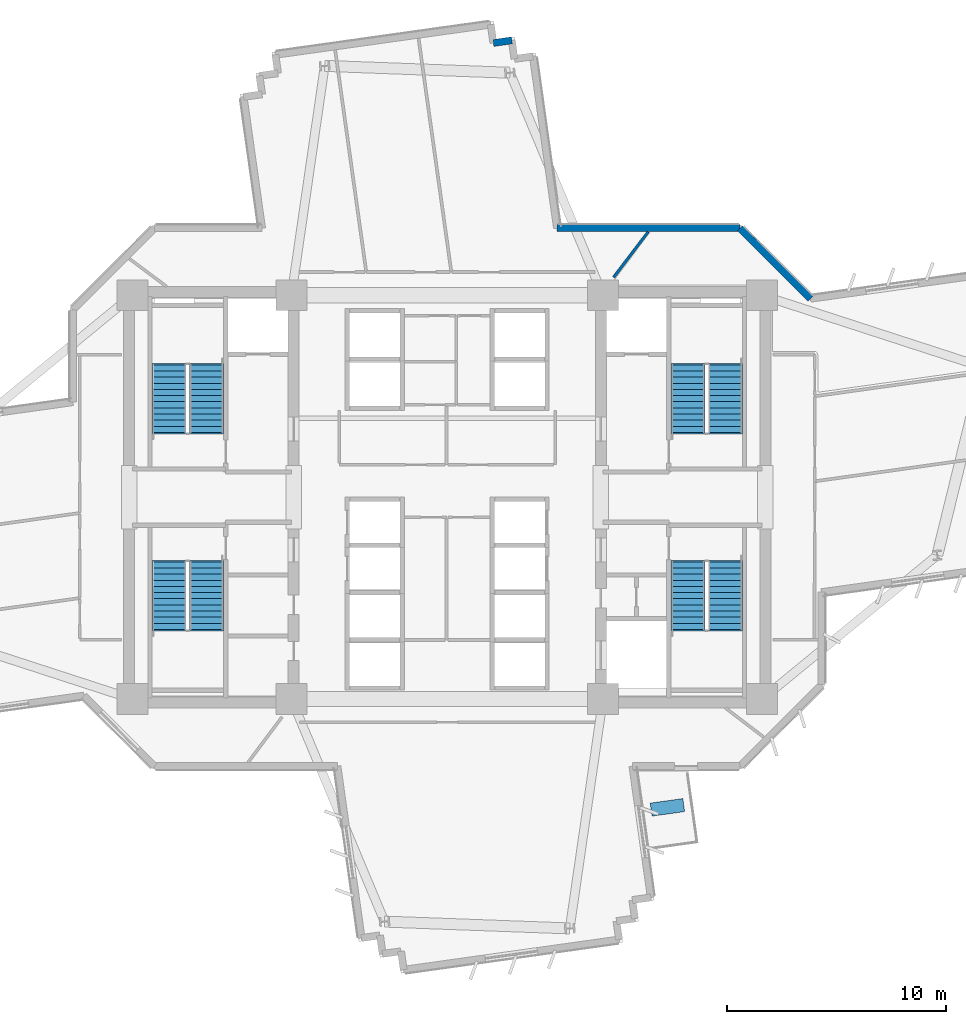
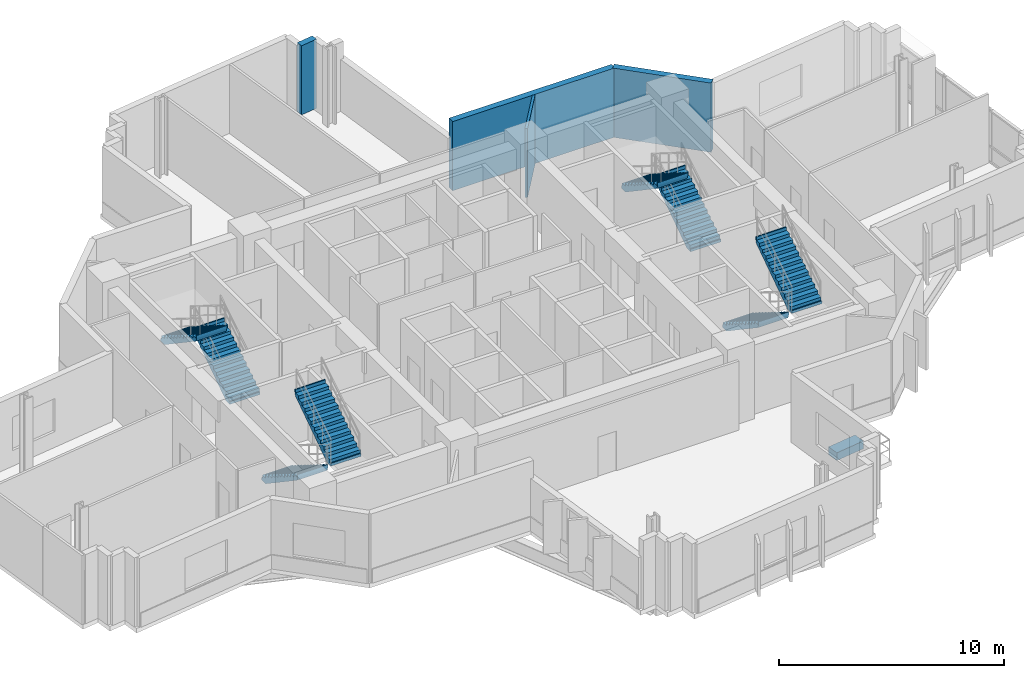
# One storey, part 10 of 14: 8 stair flights, 4 walls, 1 discrete accessory, 4 elements without a shape of their own.
"""IFC4 building model written with IfcOpenShell, lengths in metres."""

from ifc_helpers import new_model, si_unit, direction, frame, frame_2d, origin, origin_2d, place, context, subcontext, project, spatial, polyline, rectangle, outline, extrude, source, transform, mapped, material, layer, layer_set, type_object, element, aggregate, save


model = new_model("IFC4")

# Units and contexts
model_context = context("Model", 3, precision=1e-05, world=origin(), true_north=direction((0.0, 1.0)))
body_context = subcontext(model_context, "Body", "Model", "MODEL_VIEW")
ifc_project = project(units=[si_unit("LENGTHUNIT", "METRE"), si_unit("AREAUNIT", "SQUARE_METRE"), si_unit("VOLUMEUNIT", "CUBIC_METRE"), si_unit("PLANEANGLEUNIT", "RADIAN"), si_unit("MASSUNIT", "GRAM", prefix="KILO")], contexts=[model_context])

# Site, building, storey
site_placement = place(None, origin())
site = spatial("IfcSite", under=ifc_project, at=site_placement, CompositionType="ELEMENT")
building_placement = place(site_placement, origin())
building = spatial("IfcBuilding", under=site, at=building_placement, Name="Zahravan Cultural Tower", CompositionType="ELEMENT")
storey_placement = place(building_placement, frame((0.0, 0.0, 121.5)))
storey = spatial("IfcBuildingStorey", under=building, at=storey_placement, Name="L27", CompositionType="ELEMENT", Elevation=121.5)

# Walls
ifc_material_1 = material(Name="Precast concrete C40/50", Category="concrete")
ifc_layer_1 = layer(ifc_material_1, 0.320068359375)
ifc_layer_set_1 = layer_set([ifc_layer_1], Name="Precast concrete C40/50")
wall_type_1 = type_object("IfcWallType", Name="EW-TC-320", PredefinedType="SOLIDWALL", material=ifc_layer_set_1)
shared_shape_1 = source(origin(), body_context, "Body", "SweptSolid", [
    extrude(rectangle(XDim=0.85009765625, YDim=0.320068359375, at=frame_2d((0.425048828125, 0.0))), origin(), (0.0, 0.0, 1.0), 3.75),
])
wall_1_placement = place(storey_placement, frame((38.106201171875, 47.702880859375, 0.0), z_axis=(0.0, 0.0, 1.0), x_axis=(0.990330700987, 0.138726719425, 0.0)))
element("IfcWall", 1, at=wall_1_placement, inside=storey, type_object=wall_type_1, Name="L27 Exterior Masonry Frame Wall 47", PredefinedType="SOLIDWALL", context=body_context, shape_type="MappedRepresentation", body=[
    mapped(shared_shape_1, transform((0.0, 0.0, 0.0), x_axis=(1.0, 0.0, 0.0), y_axis=(0.0, 1.0, 0.0), z_axis=(0.0, 0.0, 1.0), scale=1.0)),
])
shared_shape_2 = source(origin(), body_context, "Body", "SweptSolid", [
    extrude(rectangle(XDim=8.33544921875, YDim=0.320068359375, at=frame_2d((4.167724609375, 0.0))), origin(), (0.0, 0.0, 1.0), 3.75),
])
wall_2_placement = place(storey_placement, frame((41.006591796875, 39.260009765625, 0.0), z_axis=(0.0, 0.0, 1.0), x_axis=(1.0, 0.0, 0.0)))
element("IfcWall", 2, at=wall_2_placement, inside=storey, type_object=wall_type_1, Name="L27 Exterior Masonry Frame Wall 51", PredefinedType="SOLIDWALL", context=body_context, shape_type="MappedRepresentation", body=[
    mapped(shared_shape_2, transform((0.0, 0.0, 0.0), x_axis=(1.0, 0.0, 0.0), y_axis=(0.0, 1.0, 0.0), z_axis=(0.0, 0.0, 1.0), scale=1.0)),
])
shared_shape_3 = source(origin(), body_context, "Body", "SweptSolid", [
    extrude(rectangle(XDim=4.545166015625, YDim=0.320068359375, at=frame_2d((2.2724609375, 0.0))), origin(), (0.0, 0.0, 1.0), 3.75),
])
wall_3_placement = place(storey_placement, frame((49.342041015625, 39.260009765625, 0.0), z_axis=(0.0, 0.0, 1.0), x_axis=(0.707106781187, -0.707106781187, 0.0)))
element("IfcWall", 3, at=wall_3_placement, inside=storey, type_object=wall_type_1, Name="L27 Exterior Masonry Frame Wall 52", PredefinedType="SOLIDWALL", context=body_context, shape_type="MappedRepresentation", body=[
    mapped(shared_shape_3, transform((0.0, 0.0, 0.0), x_axis=(1.0, 0.0, 0.0), y_axis=(0.0, 1.0, 0.0), z_axis=(0.0, 0.0, 1.0), scale=1.0)),
])
ifc_material_2 = material(Name="Gypsum plasterboard partition")
ifc_layer_2 = layer(ifc_material_2, 0.125)
ifc_layer_set_2 = layer_set([ifc_layer_2], Name="Gypsum plasterboard partition")
wall_type_2 = type_object("IfcWallType", Name="W-PART-125", PredefinedType="PARTITIONING", material=ifc_layer_set_2)
shared_shape_4 = source(origin(), body_context, "Body", "SweptSolid", [
    extrude(rectangle(XDim=2.608154296875, YDim=0.125, at=frame_2d((1.30419921875, 0.0))), origin(), (0.0, 0.0, 1.0), 3.75),
])
wall_4_placement = place(storey_placement, frame((45.162109375, 39.094970703125, 0.0), z_axis=(0.0, 0.0, 1.0), x_axis=(-0.605840128894, -0.795586411537, 0.0)))
element("IfcWall", 4, at=wall_4_placement, inside=storey, type_object=wall_type_2, Name="L27 Interior Wall 106", PredefinedType="PARTITIONING", context=body_context, shape_type="MappedRepresentation", body=[
    mapped(shared_shape_4, transform((0.0, 0.0, 0.0), x_axis=(1.0, 0.0, 0.0), y_axis=(0.0, 1.0, 0.0), z_axis=(0.0, 0.0, 1.0), scale=1.0)),
])

# Stair, stair flights
ifc_material_3 = material(Name="Concrete C45/55", Category="concrete")
stair_type = type_object("IfcStairType", Name="STR-DL-1550-420", PredefinedType="HALF_TURN_STAIR", material=ifc_material_3)
stair_1_placement = place(storey_placement, origin())
stair_1 = element("IfcStair", 5, at=stair_1_placement, inside=storey, type_object=stair_type, Name="L27 West Core North Exit Stair ST-W1", PredefinedType="HALF_TURN_STAIR")
stair_flight_type = type_object("IfcStairFlightType", Name="FLG-DL-1550-420", PredefinedType="STRAIGHT", material=ifc_material_3)
stair_flight_1_placement = place(storey_placement, frame((25.02490234375, 29.949951171875, 0.0), z_axis=(0.0, 0.0, 1.0), x_axis=(0.0, 1.0, 0.0)))
stair_flight_1 = element("IfcStairFlight", 6, at=stair_flight_1_placement, type_object=stair_flight_type, Name="ST-W1 flight 1", NumberOfRisers=12, NumberOfTreads=11, PredefinedType="STRAIGHT", RiserHeight=0.175, TreadLength=0.28, context=body_context, shape_type="SweptSolid", body=[
    extrude(outline(polyline([(-0.06494140625, -0.139892578125), (-0.06494140625, 0.0), (0.0, 0.0), (0.0, 0.175048828125), (0.280029296875, 0.175048828125), (0.280029296875, 0.35009765625), (0.56005859375, 0.35009765625), (0.56005859375, 0.52490234375), (0.840087890625, 0.52490234375), (0.840087890625, 0.699951171875), (1.1201171875, 0.699951171875), (1.1201171875, 0.875), (1.39990234375, 0.875), (1.39990234375, 1.050048828125), (1.679931640625, 1.050048828125), (1.679931640625, 1.22509765625), (1.9599609375, 1.22509765625), (1.9599609375, 1.39990234375), (2.239990234375, 1.39990234375), (2.239990234375, 1.574951171875), (2.52001953125, 1.574951171875), (2.52001953125, 1.75), (2.800048828125, 1.75), (2.800048828125, 1.925048828125), (3.080078125, 1.925048828125), (3.080078125, 2.10009765625), (3.14501953125, 2.10009765625), (3.14501953125, 1.9501953125), (3.080078125, 1.748291015625), (0.28271484375, -0.139892578125), (-0.06494140625, -0.139892578125)])), frame((0.0, 0.77490234375, 0.0), z_axis=(0.0, -1.0, 0.0), x_axis=(1.0, 0.0, 0.0)), (0.0, 0.0, 1.0), 1.550048828125),
])
stair_flight_2_placement = place(storey_placement, frame((23.324951171875, 33.030029296875, 2.10009765625), z_axis=(0.0, 0.0, 1.0), x_axis=(0.0, -1.0, 0.0)))
stair_flight_2 = element("IfcStairFlight", 7, at=stair_flight_2_placement, type_object=stair_flight_type, Name="ST-W1 flight 2", NumberOfRisers=12, NumberOfTreads=11, PredefinedType="STRAIGHT", RiserHeight=0.175, TreadLength=0.28, context=body_context, shape_type="SweptSolid", body=[
    extrude(outline(polyline([(-0.06494140625, -0.139892578125), (-0.06494140625, 0.0), (0.0, 0.0), (0.0, 0.175048828125), (0.280029296875, 0.175048828125), (0.280029296875, 0.35009765625), (0.56005859375, 0.35009765625), (0.56005859375, 0.52490234375), (0.840087890625, 0.52490234375), (0.840087890625, 0.699951171875), (1.1201171875, 0.699951171875), (1.1201171875, 0.875), (1.39990234375, 0.875), (1.39990234375, 1.050048828125), (1.679931640625, 1.050048828125), (1.679931640625, 1.22509765625), (1.9599609375, 1.22509765625), (1.9599609375, 1.39990234375), (2.239990234375, 1.39990234375), (2.239990234375, 1.574951171875), (2.52001953125, 1.574951171875), (2.52001953125, 1.75), (2.800048828125, 1.75), (2.800048828125, 1.925048828125), (3.080078125, 1.925048828125), (3.080078125, 2.10009765625), (3.14501953125, 2.10009765625), (3.14501953125, 1.9501953125), (3.080078125, 1.748291015625), (0.28271484375, -0.139892578125), (-0.06494140625, -0.139892578125)])), frame((0.0, 0.77490234375, 0.0), z_axis=(0.0, -1.0, 0.0), x_axis=(1.0, 0.0, 0.0)), (0.0, 0.0, 1.0), 1.550048828125),
])
aggregate(stair_1, [stair_flight_1, stair_flight_2])

stair_2_placement = place(storey_placement, origin())
stair_2 = element("IfcStair", 8, at=stair_2_placement, inside=storey, type_object=stair_type, Name="L27 West Core South Exit Stair ST-W2", PredefinedType="HALF_TURN_STAIR")
stair_flight_3_placement = place(storey_placement, frame((23.324951171875, 24.050048828125, 0.0), z_axis=(0.0, 0.0, 1.0), x_axis=(0.0, -1.0, 0.0)))
stair_flight_3 = element("IfcStairFlight", 9, at=stair_flight_3_placement, type_object=stair_flight_type, Name="ST-W2 flight 1", NumberOfRisers=12, NumberOfTreads=11, PredefinedType="STRAIGHT", RiserHeight=0.175, TreadLength=0.28, context=body_context, shape_type="SweptSolid", body=[
    extrude(outline(polyline([(-0.06494140625, -0.139892578125), (-0.06494140625, 0.0), (0.0, 0.0), (0.0, 0.175048828125), (0.280029296875, 0.175048828125), (0.280029296875, 0.35009765625), (0.56005859375, 0.35009765625), (0.56005859375, 0.52490234375), (0.840087890625, 0.52490234375), (0.840087890625, 0.699951171875), (1.1201171875, 0.699951171875), (1.1201171875, 0.875), (1.39990234375, 0.875), (1.39990234375, 1.050048828125), (1.679931640625, 1.050048828125), (1.679931640625, 1.22509765625), (1.9599609375, 1.22509765625), (1.9599609375, 1.39990234375), (2.239990234375, 1.39990234375), (2.239990234375, 1.574951171875), (2.52001953125, 1.574951171875), (2.52001953125, 1.75), (2.800048828125, 1.75), (2.800048828125, 1.925048828125), (3.080078125, 1.925048828125), (3.080078125, 2.10009765625), (3.14501953125, 2.10009765625), (3.14501953125, 1.9501953125), (3.080078125, 1.748291015625), (0.28271484375, -0.139892578125), (-0.06494140625, -0.139892578125)])), frame((0.0, 0.77490234375, 0.0), z_axis=(0.0, -1.0, 0.0), x_axis=(1.0, 0.0, 0.0)), (0.0, 0.0, 1.0), 1.550048828125),
])
stair_flight_4_placement = place(storey_placement, frame((25.02490234375, 20.969970703125, 2.10009765625), z_axis=(0.0, 0.0, 1.0), x_axis=(0.0, 1.0, 0.0)))
stair_flight_4 = element("IfcStairFlight", 10, at=stair_flight_4_placement, type_object=stair_flight_type, Name="ST-W2 flight 2", NumberOfRisers=12, NumberOfTreads=11, PredefinedType="STRAIGHT", RiserHeight=0.175, TreadLength=0.28, context=body_context, shape_type="SweptSolid", body=[
    extrude(outline(polyline([(-0.06494140625, -0.139892578125), (-0.06494140625, 0.0), (0.0, 0.0), (0.0, 0.175048828125), (0.280029296875, 0.175048828125), (0.280029296875, 0.35009765625), (0.56005859375, 0.35009765625), (0.56005859375, 0.52490234375), (0.840087890625, 0.52490234375), (0.840087890625, 0.699951171875), (1.1201171875, 0.699951171875), (1.1201171875, 0.875), (1.39990234375, 0.875), (1.39990234375, 1.050048828125), (1.679931640625, 1.050048828125), (1.679931640625, 1.22509765625), (1.9599609375, 1.22509765625), (1.9599609375, 1.39990234375), (2.239990234375, 1.39990234375), (2.239990234375, 1.574951171875), (2.52001953125, 1.574951171875), (2.52001953125, 1.75), (2.800048828125, 1.75), (2.800048828125, 1.925048828125), (3.080078125, 1.925048828125), (3.080078125, 2.10009765625), (3.14501953125, 2.10009765625), (3.14501953125, 1.9501953125), (3.080078125, 1.748291015625), (0.28271484375, -0.139892578125), (-0.06494140625, -0.139892578125)])), frame((0.0, 0.77490234375, 0.0), z_axis=(0.0, -1.0, 0.0), x_axis=(1.0, 0.0, 0.0)), (0.0, 0.0, 1.0), 1.550048828125),
])
aggregate(stair_2, [stair_flight_3, stair_flight_4])

stair_3_placement = place(storey_placement, origin())
stair_3 = element("IfcStair", 11, at=stair_3_placement, inside=storey, type_object=stair_type, Name="L27 East Core North Exit Stair ST-E1", PredefinedType="HALF_TURN_STAIR")
stair_flight_5_placement = place(storey_placement, frame((48.675048828125, 29.949951171875, 0.0), z_axis=(0.0, 0.0, 1.0), x_axis=(0.0, 1.0, 0.0)))
stair_flight_5 = element("IfcStairFlight", 12, at=stair_flight_5_placement, type_object=stair_flight_type, Name="ST-E1 flight 1", NumberOfRisers=12, NumberOfTreads=11, PredefinedType="STRAIGHT", RiserHeight=0.175, TreadLength=0.28, context=body_context, shape_type="SweptSolid", body=[
    extrude(outline(polyline([(-0.06494140625, -0.139892578125), (-0.06494140625, 0.0), (0.0, 0.0), (0.0, 0.175048828125), (0.280029296875, 0.175048828125), (0.280029296875, 0.35009765625), (0.56005859375, 0.35009765625), (0.56005859375, 0.52490234375), (0.840087890625, 0.52490234375), (0.840087890625, 0.699951171875), (1.1201171875, 0.699951171875), (1.1201171875, 0.875), (1.39990234375, 0.875), (1.39990234375, 1.050048828125), (1.679931640625, 1.050048828125), (1.679931640625, 1.22509765625), (1.9599609375, 1.22509765625), (1.9599609375, 1.39990234375), (2.239990234375, 1.39990234375), (2.239990234375, 1.574951171875), (2.52001953125, 1.574951171875), (2.52001953125, 1.75), (2.800048828125, 1.75), (2.800048828125, 1.925048828125), (3.080078125, 1.925048828125), (3.080078125, 2.10009765625), (3.14501953125, 2.10009765625), (3.14501953125, 1.9501953125), (3.080078125, 1.748291015625), (0.28271484375, -0.139892578125), (-0.06494140625, -0.139892578125)])), frame((0.0, 0.77490234375, 0.0), z_axis=(0.0, -1.0, 0.0), x_axis=(1.0, 0.0, 0.0)), (0.0, 0.0, 1.0), 1.550048828125),
])
stair_flight_6_placement = place(storey_placement, frame((46.97509765625, 33.030029296875, 2.10009765625), z_axis=(0.0, 0.0, 1.0), x_axis=(0.0, -1.0, 0.0)))
stair_flight_6 = element("IfcStairFlight", 13, at=stair_flight_6_placement, type_object=stair_flight_type, Name="ST-E1 flight 2", NumberOfRisers=12, NumberOfTreads=11, PredefinedType="STRAIGHT", RiserHeight=0.175, TreadLength=0.28, context=body_context, shape_type="SweptSolid", body=[
    extrude(outline(polyline([(-0.06494140625, -0.139892578125), (-0.06494140625, 0.0), (0.0, 0.0), (0.0, 0.175048828125), (0.280029296875, 0.175048828125), (0.280029296875, 0.35009765625), (0.56005859375, 0.35009765625), (0.56005859375, 0.52490234375), (0.840087890625, 0.52490234375), (0.840087890625, 0.699951171875), (1.1201171875, 0.699951171875), (1.1201171875, 0.875), (1.39990234375, 0.875), (1.39990234375, 1.050048828125), (1.679931640625, 1.050048828125), (1.679931640625, 1.22509765625), (1.9599609375, 1.22509765625), (1.9599609375, 1.39990234375), (2.239990234375, 1.39990234375), (2.239990234375, 1.574951171875), (2.52001953125, 1.574951171875), (2.52001953125, 1.75), (2.800048828125, 1.75), (2.800048828125, 1.925048828125), (3.080078125, 1.925048828125), (3.080078125, 2.10009765625), (3.14501953125, 2.10009765625), (3.14501953125, 1.9501953125), (3.080078125, 1.748291015625), (0.28271484375, -0.139892578125), (-0.06494140625, -0.139892578125)])), frame((0.0, 0.77490234375, 0.0), z_axis=(0.0, -1.0, 0.0), x_axis=(1.0, 0.0, 0.0)), (0.0, 0.0, 1.0), 1.550048828125),
])
aggregate(stair_3, [stair_flight_5, stair_flight_6])

stair_4_placement = place(storey_placement, origin())
stair_4 = element("IfcStair", 14, at=stair_4_placement, inside=storey, type_object=stair_type, Name="L27 East Core South Exit Stair ST-E2", PredefinedType="HALF_TURN_STAIR")
stair_flight_7_placement = place(storey_placement, frame((46.97509765625, 24.050048828125, 0.0), z_axis=(0.0, 0.0, 1.0), x_axis=(0.0, -1.0, 0.0)))
stair_flight_7 = element("IfcStairFlight", 15, at=stair_flight_7_placement, type_object=stair_flight_type, Name="ST-E2 flight 1", NumberOfRisers=12, NumberOfTreads=11, PredefinedType="STRAIGHT", RiserHeight=0.175, TreadLength=0.28, context=body_context, shape_type="SweptSolid", body=[
    extrude(outline(polyline([(-0.06494140625, -0.139892578125), (-0.06494140625, 0.0), (0.0, 0.0), (0.0, 0.175048828125), (0.280029296875, 0.175048828125), (0.280029296875, 0.35009765625), (0.56005859375, 0.35009765625), (0.56005859375, 0.52490234375), (0.840087890625, 0.52490234375), (0.840087890625, 0.699951171875), (1.1201171875, 0.699951171875), (1.1201171875, 0.875), (1.39990234375, 0.875), (1.39990234375, 1.050048828125), (1.679931640625, 1.050048828125), (1.679931640625, 1.22509765625), (1.9599609375, 1.22509765625), (1.9599609375, 1.39990234375), (2.239990234375, 1.39990234375), (2.239990234375, 1.574951171875), (2.52001953125, 1.574951171875), (2.52001953125, 1.75), (2.800048828125, 1.75), (2.800048828125, 1.925048828125), (3.080078125, 1.925048828125), (3.080078125, 2.10009765625), (3.14501953125, 2.10009765625), (3.14501953125, 1.9501953125), (3.080078125, 1.748291015625), (0.28271484375, -0.139892578125), (-0.06494140625, -0.139892578125)])), frame((0.0, 0.77490234375, 0.0), z_axis=(0.0, -1.0, 0.0), x_axis=(1.0, 0.0, 0.0)), (0.0, 0.0, 1.0), 1.550048828125),
])
stair_flight_8_placement = place(storey_placement, frame((48.675048828125, 20.969970703125, 2.10009765625), z_axis=(0.0, 0.0, 1.0), x_axis=(0.0, 1.0, 0.0)))
stair_flight_8 = element("IfcStairFlight", 16, at=stair_flight_8_placement, type_object=stair_flight_type, Name="ST-E2 flight 2", NumberOfRisers=12, NumberOfTreads=11, PredefinedType="STRAIGHT", RiserHeight=0.175, TreadLength=0.28, context=body_context, shape_type="SweptSolid", body=[
    extrude(outline(polyline([(-0.06494140625, -0.139892578125), (-0.06494140625, 0.0), (0.0, 0.0), (0.0, 0.175048828125), (0.280029296875, 0.175048828125), (0.280029296875, 0.35009765625), (0.56005859375, 0.35009765625), (0.56005859375, 0.52490234375), (0.840087890625, 0.52490234375), (0.840087890625, 0.699951171875), (1.1201171875, 0.699951171875), (1.1201171875, 0.875), (1.39990234375, 0.875), (1.39990234375, 1.050048828125), (1.679931640625, 1.050048828125), (1.679931640625, 1.22509765625), (1.9599609375, 1.22509765625), (1.9599609375, 1.39990234375), (2.239990234375, 1.39990234375), (2.239990234375, 1.574951171875), (2.52001953125, 1.574951171875), (2.52001953125, 1.75), (2.800048828125, 1.75), (2.800048828125, 1.925048828125), (3.080078125, 1.925048828125), (3.080078125, 2.10009765625), (3.14501953125, 2.10009765625), (3.14501953125, 1.9501953125), (3.080078125, 1.748291015625), (0.28271484375, -0.139892578125), (-0.06494140625, -0.139892578125)])), frame((0.0, 0.77490234375, 0.0), z_axis=(0.0, -1.0, 0.0), x_axis=(1.0, 0.0, 0.0)), (0.0, 0.0, 1.0), 1.550048828125),
])
aggregate(stair_4, [stair_flight_7, stair_flight_8])

# Discrete accessory
ifc_material_4 = material(Name="Planted soil and terracotta planter", Category="masonry")
discrete_accessory_type = type_object("IfcDiscreteAccessoryType", Name="ACC-PLANTER-TC", PredefinedType="USERDEFINED", material=ifc_material_4)
shared_shape_5 = source(origin(), body_context, "Body", "SweptSolid", [
    extrude(rectangle(XDim=1.5, YDim=0.60009765625, at=origin_2d()), origin(), (0.0, 0.0, 1.0), 0.419921875),
])
discrete_accessory_placement = place(storey_placement, frame((46.03759765625, 12.860107421875, 0.0), z_axis=(0.0, 0.0, 1.0), x_axis=(0.990316588987, 0.138827423723, 0.0)))
element("IfcDiscreteAccessory", 17, at=discrete_accessory_placement, inside=storey, type_object=discrete_accessory_type, Name="L27 Terracotta Sculpture Planter SE", ObjectType="PLANTER", PredefinedType="USERDEFINED", context=body_context, shape_type="MappedRepresentation", body=[
    mapped(shared_shape_5, transform((0.0, 0.0, 0.0), x_axis=(1.0, 0.0, 0.0), y_axis=(0.0, 1.0, 0.0), z_axis=(0.0, 0.0, 1.0), scale=1.0)),
])

save(model, "model.ifc")
